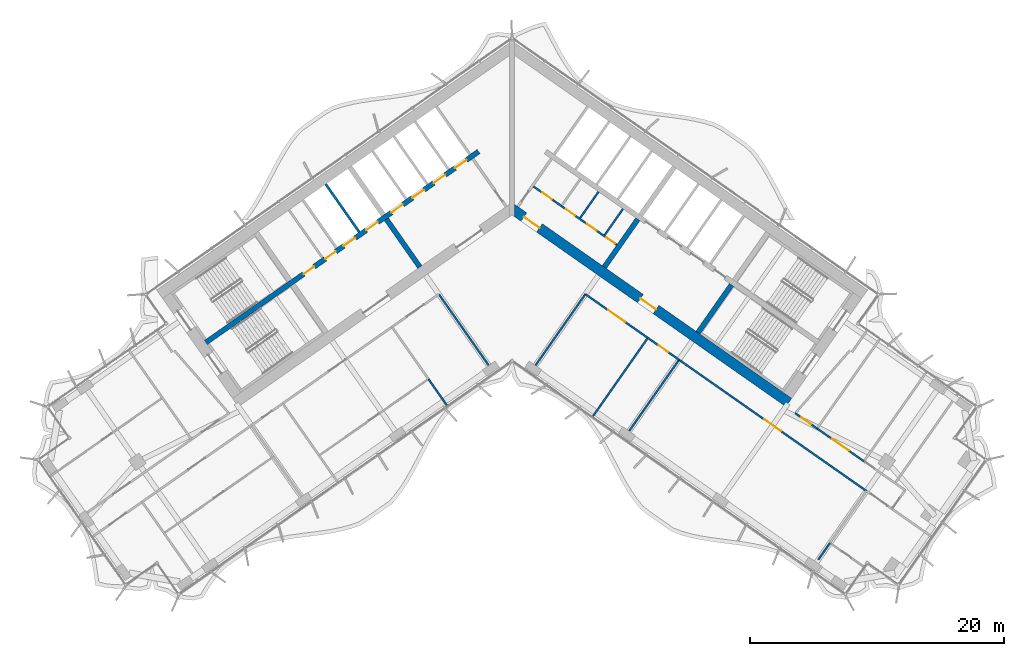
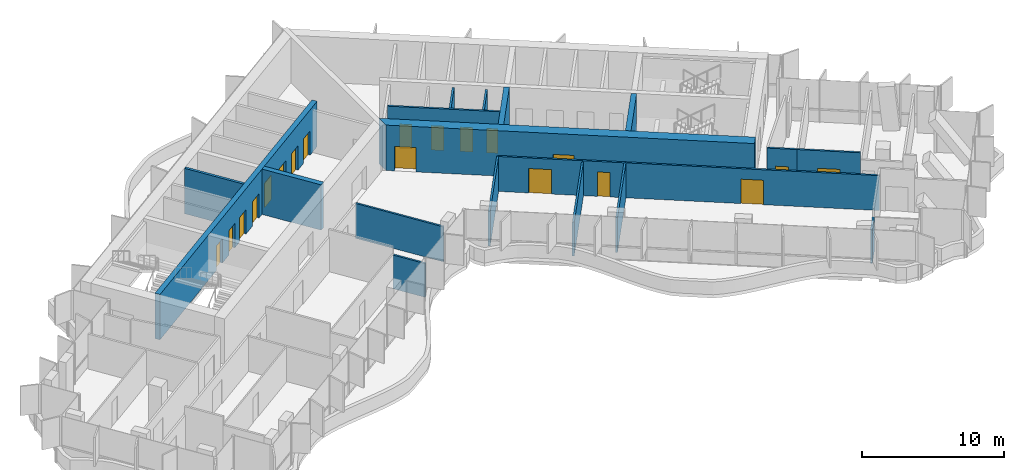
# One storey, part 15 of 23: 20 walls, 19 doors, 19 openings.
"""IFC4 building model written with IfcOpenShell, lengths in metres."""

from ifc_helpers import new_model, si_unit, direction, frame, frame_2d, origin, place, context, subcontext, project, spatial, polyline, rectangle, outline, extrude, material, layer, layer_set, type_object, element, fill, save


model = new_model("IFC4")

# Units and contexts
model_context = context("Model", 3, precision=1e-05, world=origin(), true_north=direction((0.0, 1.0)))
body_context = subcontext(model_context, "Body", "Model", "MODEL_VIEW")
ifc_project = project(units=[si_unit("LENGTHUNIT", "METRE"), si_unit("AREAUNIT", "SQUARE_METRE"), si_unit("VOLUMEUNIT", "CUBIC_METRE"), si_unit("PLANEANGLEUNIT", "RADIAN"), si_unit("MASSUNIT", "GRAM", prefix="KILO")], contexts=[model_context])

# Site, building, storey
site_placement = place(None, origin())
site = spatial("IfcSite", under=ifc_project, at=site_placement, CompositionType="ELEMENT")
building_placement = place(site_placement, origin())
building = spatial("IfcBuilding", under=site, at=building_placement, Name="Tel Ilan Convention Tower", CompositionType="ELEMENT")
storey_placement = place(building_placement, frame((0.0, 0.0, 186.60009765625)))
storey = spatial("IfcBuildingStorey", under=building, at=storey_placement, Name="L43", CompositionType="ELEMENT", Elevation=186.60009765625)

# Wall, openings, doors
ifc_material_1 = material(Name="Gypsum Plasterboard on Steel Stud", Category="steel")
ifc_layer_1 = layer(ifc_material_1, 0.14990234375)
ifc_layer_set_1 = layer_set([ifc_layer_1], Name="Core Room Partition Wall 150 mm EI 60")
wall_type_1 = type_object("IfcWallType", Name="Core Room Partition Wall 150 mm EI 60", PredefinedType="PARTITIONING", material=ifc_layer_set_1)
wall_1_placement = place(storey_placement, frame((1.687744140625, 1.015625, 0.0), z_axis=(0.0, 0.0, 1.0), x_axis=(0.819151624752, -0.573577035512, 0.0)))
wall_1 = element("IfcWall", 1, at=wall_1_placement, inside=storey, type_object=wall_type_1, Name="L43 core wall wc-h1", PredefinedType="PARTITIONING", context=body_context, shape_type="SweptSolid", body=[
    extrude(rectangle(XDim=8.0, YDim=0.14990234375, at=frame_2d((4.0, 0.0))), origin(), (0.0, 0.0, 1.0), 3.619873046875),
])
opening_1_placement = place(wall_1_placement, frame((0.85009765625, 0.0, 0.0)))
opening_1 = element("IfcOpeningElement", 2, at=opening_1_placement, cuts=wall_1, Name="Opening CD3313", PredefinedType="OPENING", context=body_context, shape_type="SweptSolid", body=[
    extrude(rectangle(XDim=0.89990234375, YDim=2.10009765625, at=frame_2d((0.449951171875, 1.050048828125))), frame((0.0, 0.0849609375, 0.0), z_axis=(0.0, -1.0, 0.0), x_axis=(1.0, 0.0, 0.0)), (0.0, 0.0, 1.0), 0.169921875),
])
opening_2_placement = place(wall_1_placement, frame((3.10009765625, 0.0, 0.0)))
opening_2 = element("IfcOpeningElement", 3, at=opening_2_placement, cuts=wall_1, Name="Opening CD3310", PredefinedType="OPENING", context=body_context, shape_type="SweptSolid", body=[
    extrude(rectangle(XDim=0.89990234375, YDim=2.10009765625, at=frame_2d((0.449951171875, 1.050048828125))), frame((0.0, 0.0849609375, 0.0), z_axis=(0.0, -1.0, 0.0), x_axis=(1.0, 0.0, 0.0)), (0.0, 0.0, 1.0), 0.169921875),
])
opening_3_placement = place(wall_1_placement, frame((5.14990234375, 0.0, 0.0)))
opening_3 = element("IfcOpeningElement", 4, at=opening_3_placement, cuts=wall_1, Name="Opening CD3312", PredefinedType="OPENING", context=body_context, shape_type="SweptSolid", body=[
    extrude(rectangle(XDim=0.89990234375, YDim=2.10009765625, at=frame_2d((0.449951171875, 1.050048828125))), frame((0.0, 0.0849609375, 0.0), z_axis=(0.0, -1.0, 0.0), x_axis=(1.0, 0.0, 0.0)), (0.0, 0.0, 1.0), 0.169921875),
])
opening_4_placement = place(wall_1_placement, frame((7.02490234375, 0.0, 0.0)))
opening_4 = element("IfcOpeningElement", 5, at=opening_4_placement, cuts=wall_1, Name="Opening CD3311", PredefinedType="OPENING", context=body_context, shape_type="SweptSolid", body=[
    extrude(rectangle(XDim=0.800048828125, YDim=2.10009765625, at=frame_2d((0.39990234375, 1.050048828125))), frame((0.0, 0.0849609375, 0.0), z_axis=(0.0, -1.0, 0.0), x_axis=(1.0, 0.0, 0.0)), (0.0, 0.0, 1.0), 0.169921875),
])
ifc_material_2 = material(Name="Galvanised Steel Door Leaf", Category="steel")
door_type_1 = type_object("IfcDoorType", Name="Store Door 800 x 2100 FD60", OperationType="NOTDEFINED", PredefinedType="DOOR", material=ifc_material_2)
door_1_placement = place(opening_4_placement, origin())
door_1 = element("IfcDoor", 6, at=door_1_placement, inside=storey, type_object=door_type_1, Name="Cleaner's store door", OperationType="SINGLE_SWING_RIGHT", OverallHeight=2.10009765625, OverallWidth=0.800048828125, PredefinedType="DOOR", context=body_context, shape_type="SweptSolid", body=[
    extrude(rectangle(XDim=0.800048828125, YDim=2.10009765625, at=frame_2d((0.39990234375, 1.050048828125))), frame((0.0, 0.02490234375, 0.0), z_axis=(0.0, -1.0, 0.0), x_axis=(1.0, 0.0, 0.0)), (0.0, 0.0, 1.0), 0.050048828125),
])
fill(opening_4, door_1)
ifc_material_3 = material(Name="Laminated Timber Door Leaf", Category="wood")
door_type_2 = type_object("IfcDoorType", Name="Toilet Door 900 x 2100 FD30S", OperationType="NOTDEFINED", PredefinedType="DOOR", material=ifc_material_3)
door_2_placement = place(opening_1_placement, origin())
door_2 = element("IfcDoor", 7, at=door_2_placement, inside=storey, type_object=door_type_2, Name="Women's WC door", OperationType="SINGLE_SWING_RIGHT", OverallHeight=2.10009765625, OverallWidth=0.89990234375, PredefinedType="DOOR", context=body_context, shape_type="SweptSolid", body=[
    extrude(rectangle(XDim=0.89990234375, YDim=2.10009765625, at=frame_2d((0.449951171875, 1.050048828125))), frame((0.0, 0.02490234375, 0.0), z_axis=(0.0, -1.0, 0.0), x_axis=(1.0, 0.0, 0.0)), (0.0, 0.0, 1.0), 0.050048828125),
])
fill(opening_1, door_2)
door_3_placement = place(opening_2_placement, origin())
door_3 = element("IfcDoor", 8, at=door_3_placement, inside=storey, type_object=door_type_2, Name="Accessible WC door", OperationType="SINGLE_SWING_RIGHT", OverallHeight=2.10009765625, OverallWidth=0.89990234375, PredefinedType="DOOR", context=body_context, shape_type="SweptSolid", body=[
    extrude(rectangle(XDim=0.89990234375, YDim=2.10009765625, at=frame_2d((0.449951171875, 1.050048828125))), frame((0.0, 0.02490234375, 0.0), z_axis=(0.0, -1.0, 0.0), x_axis=(1.0, 0.0, 0.0)), (0.0, 0.0, 1.0), 0.050048828125),
])
fill(opening_2, door_3)
door_4_placement = place(opening_3_placement, origin())
door_4 = element("IfcDoor", 9, at=door_4_placement, inside=storey, type_object=door_type_2, Name="Men's WC door", OperationType="SINGLE_SWING_RIGHT", OverallHeight=2.10009765625, OverallWidth=0.89990234375, PredefinedType="DOOR", context=body_context, shape_type="SweptSolid", body=[
    extrude(rectangle(XDim=0.89990234375, YDim=2.10009765625, at=frame_2d((0.449951171875, 1.050048828125))), frame((0.0, 0.02490234375, 0.0), z_axis=(0.0, -1.0, 0.0), x_axis=(1.0, 0.0, 0.0)), (0.0, 0.0, 1.0), 0.050048828125),
])
fill(opening_3, door_4)

# Walls
for number, where, z_axis, x_axis, name in (
    (10, (5.35546875, -1.4609375, 0.0), (0.0, 0.0, 1.0), (0.573566168143, 0.81915923407, 0.0), "L43 core wall wc-v1"),
    (11, (7.280517578125, -2.808837890625, 0.0), (0.0, 0.0, 1.0), (0.573566168143, 0.81915923407, 0.0), "L43 core wall wc-v2"),
):
    element("IfcWall", number, at=place(storey_placement, frame(where, z_axis=z_axis, x_axis=x_axis)), inside=storey, type_object=wall_type_1, Name=name, PredefinedType="PARTITIONING", context=body_context, shape_type="SweptSolid", body=[
        extrude(rectangle(XDim=2.52490234375, YDim=0.14990234375, at=frame_2d((1.262451171875, 0.0))), origin(), (0.0, 0.0, 1.0), 3.619873046875),
    ])
ifc_material_4 = material(Name="Concrete C50/60", Category="concrete")
ifc_layer_2 = layer(ifc_material_4, 0.39990234375)
ifc_layer_set_2 = layer_set([ifc_layer_2], Name="Core Shear Wall 400 mm C50/60")
wall_type_2 = type_object("IfcWallType", Name="Core Shear Wall 400 mm C50/60", PredefinedType="SHEAR", material=ifc_layer_set_2)
wall_2_placement = place(storey_placement, frame((-7.2578125, -5.325927734375, 0.0), z_axis=(0.0, 0.0, 1.0), x_axis=(-0.573540709186, 0.819177059558, 0.0)))
element("IfcWall", 12, at=wall_2_placement, inside=storey, type_object=wall_type_2, Name="L43 core wall W-cross1-1", PredefinedType="SHEAR", context=body_context, shape_type="SweptSolid", body=[
    extrude(outline(polyline([(4.599853515625, 0.2001953125), (-0.000244140625, 0.199951171875), (-0.000244140625, -0.2001953125), (4.599853515625, -0.199951171875), (4.599853515625, 0.2001953125)])), origin(), (0.0, 0.0, 1.0), 3.89990234375),
])

# Wall, openings, doors
wall_3_placement = place(storey_placement, frame((-2.638427734375, 3.76806640625, 0.0), z_axis=(0.0, 0.0, 1.0), x_axis=(-0.81915267502, -0.573575535572, 0.0)))
wall_3 = element("IfcWall", 13, at=wall_3_placement, inside=storey, type_object=wall_type_2, Name="L43 core wall W-spine", PredefinedType="SHEAR", context=body_context, shape_type="SweptSolid", body=[
    extrude(outline(polyline([(26.199951171875, 0.199951171875), (0.0, 0.199951171875), (0.0, -0.199951171875), (26.199951171875, -0.199951171875), (26.199951171875, 0.199951171875)])), origin(), (0.0, 0.0, 1.0), 3.89990234375),
])
opening_5_placement = place(wall_3_placement, frame((1.168701171875, 0.0, 0.0)))
opening_5 = element("IfcOpeningElement", 14, at=opening_5_placement, cuts=wall_3, Name="Opening LD3304", PredefinedType="OPENING", context=body_context, shape_type="SweptSolid", body=[
    extrude(rectangle(XDim=1.10009765625, YDim=2.10009765625, at=frame_2d((0.550048828125, 1.050048828125))), frame((0.0, 0.2099609375, 0.0), z_axis=(0.0, -1.0, 0.0), x_axis=(1.0, 0.0, 0.0)), (0.0, 0.0, 1.0), 0.419921875),
])
opening_6_placement = place(wall_3_placement, frame((3.206298828125, 0.0, 0.0)))
opening_6 = element("IfcOpeningElement", 15, at=opening_6_placement, cuts=wall_3, Name="Opening LD3305", PredefinedType="OPENING", context=body_context, shape_type="SweptSolid", body=[
    extrude(rectangle(XDim=1.10009765625, YDim=2.10009765625, at=frame_2d((0.550048828125, 1.050048828125))), frame((0.0, 0.2099609375, 0.0), z_axis=(0.0, -1.0, 0.0), x_axis=(1.0, 0.0, 0.0)), (0.0, 0.0, 1.0), 0.419921875),
])
opening_7_placement = place(wall_3_placement, frame((5.24365234375, 0.0, 0.0)))
opening_7 = element("IfcOpeningElement", 16, at=opening_7_placement, cuts=wall_3, Name="Opening LD3306", PredefinedType="OPENING", context=body_context, shape_type="SweptSolid", body=[
    extrude(rectangle(XDim=1.10009765625, YDim=2.10009765625, at=frame_2d((0.550048828125, 1.050048828125))), frame((0.0, 0.2099609375, 0.0), z_axis=(0.0, -1.0, 0.0), x_axis=(1.0, 0.0, 0.0)), (0.0, 0.0, 1.0), 0.419921875),
])
opening_8_placement = place(wall_3_placement, frame((7.28125, 0.0, 0.0)))
opening_8 = element("IfcOpeningElement", 17, at=opening_8_placement, cuts=wall_3, Name="Opening LD3307", PredefinedType="OPENING", context=body_context, shape_type="SweptSolid", body=[
    extrude(rectangle(XDim=1.10009765625, YDim=2.10009765625, at=frame_2d((0.550048828125, 1.050048828125))), frame((0.0, 0.2099609375, 0.0), z_axis=(0.0, -1.0, 0.0), x_axis=(1.0, 0.0, 0.0)), (0.0, 0.0, 1.0), 0.419921875),
])
opening_9_placement = place(wall_3_placement, frame((9.6875, 0.0, 0.0)))
opening_9 = element("IfcOpeningElement", 18, at=opening_9_placement, cuts=wall_3, Name="Opening LD3308", PredefinedType="OPENING", context=body_context, shape_type="SweptSolid", body=[
    extrude(rectangle(XDim=1.10009765625, YDim=2.10009765625, at=frame_2d((0.550048828125, 1.050048828125))), frame((0.0, 0.2099609375, 0.0), z_axis=(0.0, -1.0, 0.0), x_axis=(1.0, 0.0, 0.0)), (0.0, 0.0, 1.0), 0.419921875),
])
opening_10_placement = place(wall_3_placement, frame((11.862548828125, 0.0, 0.0)))
opening_10 = element("IfcOpeningElement", 19, at=opening_10_placement, cuts=wall_3, Name="Opening LD3309", PredefinedType="OPENING", context=body_context, shape_type="SweptSolid", body=[
    extrude(rectangle(XDim=1.10009765625, YDim=2.10009765625, at=frame_2d((0.550048828125, 1.050048828125))), frame((0.0, 0.2099609375, 0.0), z_axis=(0.0, -1.0, 0.0), x_axis=(1.0, 0.0, 0.0)), (0.0, 0.0, 1.0), 0.419921875),
])
opening_11_placement = place(wall_3_placement, frame((13.722412109375, 0.0, 0.0)))
opening_11 = element("IfcOpeningElement", 20, at=opening_11_placement, cuts=wall_3, Name="Opening CD3308", PredefinedType="OPENING", context=body_context, shape_type="SweptSolid", body=[
    extrude(rectangle(XDim=1.0, YDim=2.10009765625, at=frame_2d((0.5, 1.050048828125))), frame((0.0, 0.2099609375, 0.0), z_axis=(0.0, -1.0, 0.0), x_axis=(1.0, 0.0, 0.0)), (0.0, 0.0, 1.0), 0.419921875),
])
opening_12_placement = place(wall_3_placement, frame((15.797607421875, 0.0, 0.0)))
opening_12 = element("IfcOpeningElement", 21, at=opening_12_placement, cuts=wall_3, Name="Opening CD3309", PredefinedType="OPENING", context=body_context, shape_type="SweptSolid", body=[
    extrude(rectangle(XDim=1.0, YDim=2.10009765625, at=frame_2d((0.5, 1.050048828125))), frame((0.0, 0.2099609375, 0.0), z_axis=(0.0, -1.0, 0.0), x_axis=(1.0, 0.0, 0.0)), (0.0, 0.0, 1.0), 0.419921875),
])
ifc_material_5 = material(Name="Stainless Steel Sliding Door Leaf", Category="steel")
door_type_3 = type_object("IfcDoorType", Name="Lift Landing Door 1100 x 2100 FD120", OperationType="NOTDEFINED", PredefinedType="DOOR", material=ifc_material_5)
door_5_placement = place(opening_5_placement, origin())
door_5 = element("IfcDoor", 22, at=door_5_placement, inside=storey, type_object=door_type_3, Name="Lift LR1 landing door", OperationType="SLIDING_TO_LEFT", OverallHeight=2.10009765625, OverallWidth=1.10009765625, PredefinedType="DOOR", context=body_context, shape_type="SweptSolid", body=[
    extrude(rectangle(XDim=1.10009765625, YDim=2.10009765625, at=frame_2d((0.550048828125, 1.050048828125))), frame((0.0, 0.02490234375, 0.0), z_axis=(0.0, -1.0, 0.0), x_axis=(1.0, 0.0, 0.0)), (0.0, 0.0, 1.0), 0.050048828125),
])
fill(opening_5, door_5)
door_6_placement = place(opening_6_placement, origin())
door_6 = element("IfcDoor", 23, at=door_6_placement, inside=storey, type_object=door_type_3, Name="Lift LR2 landing door", OperationType="SLIDING_TO_RIGHT", OverallHeight=2.10009765625, OverallWidth=1.10009765625, PredefinedType="DOOR", context=body_context, shape_type="SweptSolid", body=[
    extrude(rectangle(XDim=1.10009765625, YDim=2.10009765625, at=frame_2d((0.550048828125, 1.050048828125))), frame((0.0, 0.02490234375, 0.0), z_axis=(0.0, -1.0, 0.0), x_axis=(1.0, 0.0, 0.0)), (0.0, 0.0, 1.0), 0.050048828125),
])
fill(opening_6, door_6)
door_7_placement = place(opening_7_placement, origin())
door_7 = element("IfcDoor", 24, at=door_7_placement, inside=storey, type_object=door_type_3, Name="Lift LR3 landing door", OperationType="SLIDING_TO_LEFT", OverallHeight=2.10009765625, OverallWidth=1.10009765625, PredefinedType="DOOR", context=body_context, shape_type="SweptSolid", body=[
    extrude(rectangle(XDim=1.10009765625, YDim=2.10009765625, at=frame_2d((0.550048828125, 1.050048828125))), frame((0.0, 0.02490234375, 0.0), z_axis=(0.0, -1.0, 0.0), x_axis=(1.0, 0.0, 0.0)), (0.0, 0.0, 1.0), 0.050048828125),
])
fill(opening_7, door_7)
door_8_placement = place(opening_8_placement, origin())
door_8 = element("IfcDoor", 25, at=door_8_placement, inside=storey, type_object=door_type_3, Name="Lift LR4 landing door", OperationType="SLIDING_TO_RIGHT", OverallHeight=2.10009765625, OverallWidth=1.10009765625, PredefinedType="DOOR", context=body_context, shape_type="SweptSolid", body=[
    extrude(rectangle(XDim=1.10009765625, YDim=2.10009765625, at=frame_2d((0.550048828125, 1.050048828125))), frame((0.0, 0.02490234375, 0.0), z_axis=(0.0, -1.0, 0.0), x_axis=(1.0, 0.0, 0.0)), (0.0, 0.0, 1.0), 0.050048828125),
])
fill(opening_8, door_8)
door_9_placement = place(opening_9_placement, origin())
door_9 = element("IfcDoor", 26, at=door_9_placement, inside=storey, type_object=door_type_3, Name="Lift LR5 landing door", OperationType="SLIDING_TO_LEFT", OverallHeight=2.10009765625, OverallWidth=1.10009765625, PredefinedType="DOOR", context=body_context, shape_type="SweptSolid", body=[
    extrude(rectangle(XDim=1.10009765625, YDim=2.10009765625, at=frame_2d((0.550048828125, 1.050048828125))), frame((0.0, 0.02490234375, 0.0), z_axis=(0.0, -1.0, 0.0), x_axis=(1.0, 0.0, 0.0)), (0.0, 0.0, 1.0), 0.050048828125),
])
fill(opening_9, door_9)
door_10_placement = place(opening_10_placement, origin())
door_10 = element("IfcDoor", 27, at=door_10_placement, inside=storey, type_object=door_type_3, Name="Lift LR6 landing door", OperationType="SLIDING_TO_RIGHT", OverallHeight=2.10009765625, OverallWidth=1.10009765625, PredefinedType="DOOR", context=body_context, shape_type="SweptSolid", body=[
    extrude(rectangle(XDim=1.10009765625, YDim=2.10009765625, at=frame_2d((0.550048828125, 1.050048828125))), frame((0.0, 0.02490234375, 0.0), z_axis=(0.0, -1.0, 0.0), x_axis=(1.0, 0.0, 0.0)), (0.0, 0.0, 1.0), 0.050048828125),
])
fill(opening_10, door_10)
ifc_material_6 = material(Name="Galvanised Steel Door Leaf", Category="steel")
door_type_4 = type_object("IfcDoorType", Name="Service Room Door 1000 x 2100 FD60", OperationType="NOTDEFINED", PredefinedType="DOOR", material=ifc_material_6)
door_11_placement = place(opening_11_placement, origin())
door_11 = element("IfcDoor", 28, at=door_11_placement, inside=storey, type_object=door_type_4, Name="Plant Room door", OperationType="SINGLE_SWING_RIGHT", OverallHeight=2.10009765625, OverallWidth=1.0, PredefinedType="DOOR", context=body_context, shape_type="SweptSolid", body=[
    extrude(rectangle(XDim=1.0, YDim=2.10009765625, at=frame_2d((0.5, 1.050048828125))), frame((0.0, 0.02490234375, 0.0), z_axis=(0.0, -1.0, 0.0), x_axis=(1.0, 0.0, 0.0)), (0.0, 0.0, 1.0), 0.050048828125),
])
fill(opening_11, door_11)
door_12_placement = place(opening_12_placement, origin())
door_12 = element("IfcDoor", 29, at=door_12_placement, inside=storey, type_object=door_type_4, Name="Plant Room door", OperationType="SINGLE_SWING_RIGHT", OverallHeight=2.10009765625, OverallWidth=1.0, PredefinedType="DOOR", context=body_context, shape_type="SweptSolid", body=[
    extrude(rectangle(XDim=1.0, YDim=2.10009765625, at=frame_2d((0.5, 1.050048828125))), frame((0.0, 0.02490234375, 0.0), z_axis=(0.0, -1.0, 0.0), x_axis=(1.0, 0.0, 0.0)), (0.0, 0.0, 1.0), 0.050048828125),
])
fill(opening_12, door_12)

# Walls
wall_4_placement = place(storey_placement, frame((7.2578125, -5.325927734375, 0.0), z_axis=(0.0, 0.0, 1.0), x_axis=(0.573540709186, 0.819177059558, 0.0)))
element("IfcWall", 30, at=wall_4_placement, inside=storey, type_object=wall_type_2, Name="L43 core wall E-cross1-1", PredefinedType="SHEAR", context=body_context, shape_type="SweptSolid", body=[
    extrude(outline(polyline([(-0.000244140625, 0.2001953125), (-0.000244140625, -0.199951171875), (4.599853515625, -0.2001953125), (4.599853515625, 0.199951171875), (-0.000244140625, 0.2001953125)])), origin(), (0.0, 0.0, 1.0), 3.89990234375),
])
wall_5_placement = place(storey_placement, frame((14.6298828125, -10.48828125, 0.0), z_axis=(0.0, 0.0, 1.0), x_axis=(0.573611936273, 0.819127185829, 0.0)))
element("IfcWall", 31, at=wall_5_placement, inside=storey, type_object=wall_type_2, Name="L43 core wall E-cross2-1", PredefinedType="SHEAR", context=body_context, shape_type="SweptSolid", body=[
    extrude(outline(polyline([(0.000244140625, 0.199951171875), (0.000244140625, -0.2001953125), (4.60009765625, -0.199951171875), (4.60009765625, 0.2001953125), (0.000244140625, 0.199951171875)])), origin(), (0.0, 0.0, 1.0), 3.89990234375),
])

# Wall, openings, doors
ifc_material_7 = material(Name="Concrete C50/60", Category="concrete")
ifc_layer_3 = layer(ifc_material_7, 0.800048828125)
ifc_layer_set_3 = layer_set([ifc_layer_3], Name="Core Shear Wall 800 mm C50/60")
wall_type_3 = type_object("IfcWallType", Name="Core Shear Wall 800 mm C50/60", PredefinedType="SHEAR", material=ifc_layer_set_3)
wall_6_placement = place(storey_placement, frame((-0.029296875, -0.7119140625, 0.0), z_axis=(0.0, 0.0, 1.0), x_axis=(0.819151758019, -0.573576845187, 0.0)))
wall_6 = element("IfcWall", 32, at=wall_6_placement, inside=storey, type_object=wall_type_3, Name="L43 core wall E-front", PredefinedType="SHEAR", context=body_context, shape_type="SweptSolid", body=[
    extrude(outline(polyline([(26.61572265625, 0.39990234375), (-0.000244140625, 0.39990234375), (0.56005859375, -0.39990234375), (26.61572265625, -0.39990234375), (26.61572265625, 0.39990234375)])), origin(), (0.0, 0.0, 1.0), 3.89990234375),
])
opening_13_placement = place(wall_6_placement, frame((1.165771484375, 0.0, 0.0)))
opening_13 = element("IfcOpeningElement", 33, at=opening_13_placement, cuts=wall_6, Name="Opening CD3303", PredefinedType="OPENING", context=body_context, shape_type="SweptSolid", body=[
    extrude(rectangle(XDim=1.5, YDim=2.10009765625, at=frame_2d((0.75, 1.050048828125))), frame((0.0, 0.409912109375, 0.0), z_axis=(0.0, -1.0, 0.0), x_axis=(1.0, 0.0, 0.0)), (0.0, 0.0, 1.0), 0.820068359375),
])
opening_14_placement = place(wall_6_placement, frame((12.36572265625, 0.0, 0.0)))
opening_14 = element("IfcOpeningElement", 34, at=opening_14_placement, cuts=wall_6, Name="Opening CD3304", PredefinedType="OPENING", context=body_context, shape_type="SweptSolid", body=[
    extrude(rectangle(XDim=1.5, YDim=2.10009765625, at=frame_2d((0.75, 1.050048828125))), frame((0.0, 0.409912109375, 0.0), z_axis=(0.0, -1.0, 0.0), x_axis=(1.0, 0.0, 0.0)), (0.0, 0.0, 1.0), 0.820068359375),
])
ifc_material_8 = material(Name="Glazed Aluminium Door Leaf", Category="aluminium")
door_type_5 = type_object("IfcDoorType", Name="Lobby Opening Door 1500 x 2100 FD60S", OperationType="NOTDEFINED", PredefinedType="DOOR", material=ifc_material_8)
door_13_placement = place(opening_14_placement, origin())
door_13 = element("IfcDoor", 35, at=door_13_placement, inside=storey, type_object=door_type_5, Name="Firefighting Lobby door", OperationType="DOUBLE_DOOR_SINGLE_SWING", OverallHeight=2.10009765625, OverallWidth=1.5, PredefinedType="DOOR", context=body_context, shape_type="SweptSolid", body=[
    extrude(rectangle(XDim=1.5, YDim=2.10009765625, at=frame_2d((0.75, 1.050048828125))), frame((0.0, 0.02490234375, 0.0), z_axis=(0.0, -1.0, 0.0), x_axis=(1.0, 0.0, 0.0)), (0.0, 0.0, 1.0), 0.050048828125),
])
fill(opening_14, door_13)
ifc_material_9 = material(Name="Laminated Timber Door Leaf", Category="wood")
door_type_6 = type_object("IfcDoorType", Name="Toilet Door 1500 x 2100 FD30S", OperationType="NOTDEFINED", PredefinedType="DOOR", material=ifc_material_9)
door_14_placement = place(opening_13_placement, origin())
door_14 = element("IfcDoor", 36, at=door_14_placement, inside=storey, type_object=door_type_6, Name="WC Lobby door", OperationType="SINGLE_SWING_RIGHT", OverallHeight=2.10009765625, OverallWidth=1.5, PredefinedType="DOOR", context=body_context, shape_type="SweptSolid", body=[
    extrude(rectangle(XDim=1.5, YDim=2.10009765625, at=frame_2d((0.75, 1.050048828125))), frame((0.0, 0.02490234375, 0.0), z_axis=(0.0, -1.0, 0.0), x_axis=(1.0, 0.0, 0.0)), (0.0, 0.0, 1.0), 0.050048828125),
])
fill(opening_13, door_14)

# Wall, opening, door
ifc_material_10 = material(Name="Plasterboard on Steel Studs", Category="steel")
ifc_layer_4 = layer(ifc_material_10, 0.14990234375)
ifc_layer_set_4 = layer_set([ifc_layer_4], Name="Fire-rated Partition 150 EI 60")
wall_type_4 = type_object("IfcWallType", Name="Fire-rated Partition 150 EI 60", PredefinedType="PARTITIONING", material=ifc_layer_set_4)
wall_7_placement = place(storey_placement, frame((22.283203125, -16.82373046875, 0.0), z_axis=(0.0, 0.0, 1.0), x_axis=(0.819182738768, -0.573532597595, 0.0)))
wall_7 = element("IfcWall", 37, at=wall_7_placement, inside=storey, type_object=wall_type_4, Name="Partition 001", PredefinedType="PARTITIONING", context=body_context, shape_type="SweptSolid", body=[
    extrude(rectangle(XDim=2.09912109375, YDim=0.14990234375, at=frame_2d((1.049560546875, 0.0))), origin(), (0.0, 0.0, 1.0), 3.619873046875),
])
opening_15_placement = place(wall_7_placement, frame((0.599609375, 0.0, 0.0)))
opening_15 = element("IfcOpeningElement", 38, at=opening_15_placement, cuts=wall_7, Name="Opening L43-016", PredefinedType="OPENING", context=body_context, shape_type="SweptSolid", body=[
    extrude(rectangle(XDim=0.89990234375, YDim=2.10009765625, at=frame_2d((0.449951171875, 1.050048828125))), frame((0.0, 0.0849609375, 0.0), z_axis=(0.0, -1.0, 0.0), x_axis=(1.0, 0.0, 0.0)), (0.0, 0.0, 1.0), 0.169921875),
])
ifc_material_11 = material(Name="Timber Door Leaf in Steel Frame", Category="steel")
door_type_7 = type_object("IfcDoorType", Name="Room Fire Door 900x2100", OperationType="NOTDEFINED", PredefinedType="DOOR", material=ifc_material_11)
door_15_placement = place(opening_15_placement, origin())
door_15 = element("IfcDoor", 39, at=door_15_placement, inside=storey, type_object=door_type_7, Name="Door L43-016", OperationType="SINGLE_SWING_RIGHT", OverallHeight=2.10009765625, OverallWidth=0.89990234375, PredefinedType="DOOR", context=body_context, shape_type="SweptSolid", body=[
    extrude(rectangle(XDim=0.89990234375, YDim=2.10009765625, at=frame_2d((0.449951171875, 1.050048828125))), frame((0.0, 0.02490234375, 0.0), z_axis=(0.0, -1.0, 0.0), x_axis=(1.0, 0.0, 0.0)), (0.0, 0.0, 1.0), 0.050048828125),
])
fill(opening_15, door_15)

wall_8_placement = place(storey_placement, frame((23.999267578125, -18.025390625, 0.0), z_axis=(0.0, 0.0, 1.0), x_axis=(0.819165703328, -0.573556928727, 0.0)))
wall_8 = element("IfcWall", 40, at=wall_8_placement, inside=storey, type_object=wall_type_4, Name="Partition 002", PredefinedType="PARTITIONING", context=body_context, shape_type="SweptSolid", body=[
    extrude(rectangle(XDim=4.50390625, YDim=0.14990234375, at=frame_2d((2.251953125, 0.0))), origin(), (0.0, 0.0, 1.0), 3.619873046875),
])
opening_16_placement = place(wall_8_placement, frame((1.451904296875, 0.0, 0.0)))
opening_16 = element("IfcOpeningElement", 41, at=opening_16_placement, cuts=wall_8, Name="Opening L43-017", PredefinedType="OPENING", context=body_context, shape_type="SweptSolid", body=[
    extrude(rectangle(XDim=1.60009765625, YDim=2.10009765625, at=frame_2d((0.800048828125, 1.050048828125))), frame((0.0, 0.0849609375, 0.0), z_axis=(0.0, -1.0, 0.0), x_axis=(1.0, 0.0, 0.0)), (0.0, 0.0, 1.0), 0.169921875),
])
ifc_material_12 = material(Name="Timber Door Leaf in Steel Frame", Category="steel")
door_type_8 = type_object("IfcDoorType", Name="Tenant Suite Entrance Fire Door 1600x2100", OperationType="NOTDEFINED", PredefinedType="DOOR", material=ifc_material_12)
door_16_placement = place(opening_16_placement, origin())
door_16 = element("IfcDoor", 42, at=door_16_placement, inside=storey, type_object=door_type_8, Name="Door L43-017", OperationType="DOUBLE_DOOR_SINGLE_SWING", OverallHeight=2.10009765625, OverallWidth=1.60009765625, PredefinedType="DOOR", context=body_context, shape_type="SweptSolid", body=[
    extrude(rectangle(XDim=1.60009765625, YDim=2.10009765625, at=frame_2d((0.800048828125, 1.050048828125))), frame((0.0, 0.02490234375, 0.0), z_axis=(0.0, -1.0, 0.0), x_axis=(1.0, 0.0, 0.0)), (0.0, 0.0, 1.0), 0.050048828125),
])
fill(opening_16, door_16)

wall_9_placement = place(storey_placement, frame((10.682861328125, -10.8984375, 0.0), z_axis=(0.0, 0.0, 1.0), x_axis=(-0.819147828287, 0.573582457378, 0.0)))
wall_9 = element("IfcWall", 43, at=wall_9_placement, inside=storey, type_object=wall_type_4, Name="Partition 006", PredefinedType="PARTITIONING", context=body_context, shape_type="SweptSolid", body=[
    extrude(rectangle(XDim=6.001953125, YDim=0.14990234375, at=frame_2d((3.0009765625, 0.0))), origin(), (0.0, 0.0, 1.0), 3.0),
])
opening_17_placement = place(wall_9_placement, frame((2.200927734375, 0.0, 0.0)))
opening_17 = element("IfcOpeningElement", 44, at=opening_17_placement, cuts=wall_9, Name="Opening L43-011", PredefinedType="OPENING", context=body_context, shape_type="SweptSolid", body=[
    extrude(rectangle(XDim=1.60009765625, YDim=2.10009765625, at=frame_2d((0.800048828125, 1.050048828125))), frame((0.0, 0.0849609375, 0.0), z_axis=(0.0, -1.0, 0.0), x_axis=(1.0, 0.0, 0.0)), (0.0, 0.0, 1.0), 0.169921875),
])
door_17_placement = place(opening_17_placement, origin())
door_17 = element("IfcDoor", 45, at=door_17_placement, inside=storey, type_object=door_type_8, Name="Door L43-011", OperationType="DOUBLE_DOOR_SINGLE_SWING", OverallHeight=2.10009765625, OverallWidth=1.60009765625, PredefinedType="DOOR", context=body_context, shape_type="SweptSolid", body=[
    extrude(rectangle(XDim=1.60009765625, YDim=2.10009765625, at=frame_2d((0.800048828125, 1.050048828125))), frame((0.0, 0.02490234375, 0.0), z_axis=(0.0, -1.0, 0.0), x_axis=(1.0, 0.0, 0.0)), (0.0, 0.0, 1.0), 0.050048828125),
])
fill(opening_17, door_17)

wall_10_placement = place(storey_placement, frame((13.140380859375, -12.619140625, 0.0), z_axis=(0.0, 0.0, 1.0), x_axis=(-0.819128818764, 0.573609604409, 0.0)))
wall_10 = element("IfcWall", 46, at=wall_10_placement, inside=storey, type_object=wall_type_4, Name="Partition 007", PredefinedType="PARTITIONING", context=body_context, shape_type="SweptSolid", body=[
    extrude(rectangle(XDim=3.004150390625, YDim=0.14990234375, at=frame_2d((1.501953125, 0.0))), origin(), (0.0, 0.0, 1.0), 3.0),
])
opening_18_placement = place(wall_10_placement, frame((1.052001953125, 0.0, 0.0)))
opening_18 = element("IfcOpeningElement", 47, at=opening_18_placement, cuts=wall_10, Name="Opening L43-012", PredefinedType="OPENING", context=body_context, shape_type="SweptSolid", body=[
    extrude(rectangle(XDim=0.89990234375, YDim=2.10009765625, at=frame_2d((0.449951171875, 1.050048828125))), frame((0.0, 0.0849609375, 0.0), z_axis=(0.0, -1.0, 0.0), x_axis=(1.0, 0.0, 0.0)), (0.0, 0.0, 1.0), 0.169921875),
])
door_18_placement = place(opening_18_placement, origin())
door_18 = element("IfcDoor", 48, at=door_18_placement, inside=storey, type_object=door_type_7, Name="Door L43-012", OperationType="SINGLE_SWING_LEFT", OverallHeight=2.10009765625, OverallWidth=0.89990234375, PredefinedType="DOOR", context=body_context, shape_type="SweptSolid", body=[
    extrude(rectangle(XDim=0.89990234375, YDim=2.10009765625, at=frame_2d((0.449951171875, 1.050048828125))), frame((0.0, 0.02490234375, 0.0), z_axis=(0.0, -1.0, 0.0), x_axis=(1.0, 0.0, 0.0)), (0.0, 0.0, 1.0), 0.050048828125),
])
fill(opening_18, door_18)

wall_11_placement = place(storey_placement, frame((27.885009765625, -22.943603515625, 0.0), z_axis=(0.0, 0.0, 1.0), x_axis=(-0.81914845568, 0.573581561381, 0.0)))
wall_11 = element("IfcWall", 49, at=wall_11_placement, inside=storey, type_object=wall_type_4, Name="Partition 008", PredefinedType="PARTITIONING", context=body_context, shape_type="SweptSolid", body=[
    extrude(rectangle(XDim=18.00390625, YDim=0.14990234375, at=frame_2d((9.001953125, 0.0))), origin(), (0.0, 0.0, 1.0), 3.0),
])
opening_19_placement = place(wall_11_placement, frame((8.201904296875, 0.0, 0.0)))
opening_19 = element("IfcOpeningElement", 50, at=opening_19_placement, cuts=wall_11, Name="Opening L43-013", PredefinedType="OPENING", context=body_context, shape_type="SweptSolid", body=[
    extrude(rectangle(XDim=1.60009765625, YDim=2.10009765625, at=frame_2d((0.800048828125, 1.050048828125))), frame((0.0, 0.0849609375, 0.0), z_axis=(0.0, -1.0, 0.0), x_axis=(1.0, 0.0, 0.0)), (0.0, 0.0, 1.0), 0.169921875),
])
door_19_placement = place(opening_19_placement, origin())
door_19 = element("IfcDoor", 51, at=door_19_placement, inside=storey, type_object=door_type_8, Name="Door L43-013", OperationType="DOUBLE_DOOR_SINGLE_SWING", OverallHeight=2.10009765625, OverallWidth=1.60009765625, PredefinedType="DOOR", context=body_context, shape_type="SweptSolid", body=[
    extrude(rectangle(XDim=1.60009765625, YDim=2.10009765625, at=frame_2d((0.800048828125, 1.050048828125))), frame((0.0, 0.02490234375, 0.0), z_axis=(0.0, -1.0, 0.0), x_axis=(1.0, 0.0, 0.0)), (0.0, 0.0, 1.0), 0.050048828125),
])
fill(opening_19, door_19)

# Walls
wall_12_placement = place(storey_placement, frame((10.681396484375, -10.897216796875, 0.0), z_axis=(0.0, 0.0, 1.0), x_axis=(-0.57358249317, -0.819147803225, 0.0)))
element("IfcWall", 52, at=wall_12_placement, inside=storey, type_object=wall_type_4, Name="Partition 023", PredefinedType="PARTITIONING", context=body_context, shape_type="SweptSolid", body=[
    extrude(rectangle(XDim=7.500244140625, YDim=0.14990234375, at=frame_2d((3.75, 0.0))), origin(), (0.0, 0.0, 1.0), 2.89990234375),
])
wall_13_placement = place(storey_placement, frame((1.848876953125, -13.050537109375, 0.0), z_axis=(0.0, 0.0, 1.0), x_axis=(0.573577493031, 0.819151304393, 0.0)))
element("IfcWall", 53, at=wall_13_placement, inside=storey, type_object=wall_type_4, Name="Partition 024", PredefinedType="PARTITIONING", context=body_context, shape_type="SweptSolid", body=[
    extrude(rectangle(XDim=6.829833984375, YDim=0.14990234375, at=frame_2d((3.4150390625, 0.0))), origin(), (0.0, 0.0, 1.0), 3.0),
])
wall_14_placement = place(storey_placement, frame((13.138671875, -12.617919921875, 0.0), z_axis=(0.0, 0.0, 1.0), x_axis=(-0.573560698343, -0.819163063936, 0.0)))
element("IfcWall", 54, at=wall_14_placement, inside=storey, type_object=wall_type_4, Name="Partition 025", PredefinedType="PARTITIONING", context=body_context, shape_type="SweptSolid", body=[
    extrude(rectangle(XDim=6.830078125, YDim=0.14990234375, at=frame_2d((3.4150390625, 0.0))), origin(), (0.0, 0.0, 1.0), 3.0),
])
wall_15_placement = place(storey_placement, frame((25.01611328125, -27.037353515625, 0.0), z_axis=(0.0, 0.0, 1.0), x_axis=(-0.573615752353, -0.819124513522, 0.0)))
element("IfcWall", 55, at=wall_15_placement, inside=storey, type_object=wall_type_4, Name="Partition 026", PredefinedType="PARTITIONING", context=body_context, shape_type="SweptSolid", body=[
    extrude(rectangle(XDim=1.60205078125, YDim=0.14990234375, at=frame_2d((0.801025390625, 0.0))), origin(), (0.0, 0.0, 1.0), 2.89990234375),
])
wall_16_placement = place(storey_placement, frame((-1.848876953125, -13.050537109375, 0.0), z_axis=(0.0, 0.0, 1.0), x_axis=(-0.57357985571, 0.819149650018, 0.0)))
element("IfcWall", 56, at=wall_16_placement, inside=storey, type_object=wall_type_4, Name="Partition 029", PredefinedType="PARTITIONING", context=body_context, shape_type="SweptSolid", body=[
    extrude(rectangle(XDim=6.83203125, YDim=0.14990234375, at=frame_2d((3.416015625, 0.0))), origin(), (0.0, 0.0, 1.0), 3.0),
])
wall_17_placement = place(storey_placement, frame((-5.150634765625, -16.180419921875, 0.0), z_axis=(0.0, 0.0, 1.0), x_axis=(-0.573613022702, 0.819126425033, 0.0)))
element("IfcWall", 57, at=wall_17_placement, inside=storey, type_object=wall_type_4, Name="Partition 035", PredefinedType="PARTITIONING", context=body_context, shape_type="SweptSolid", body=[
    extrude(rectangle(XDim=2.5009765625, YDim=0.14990234375, at=frame_2d((1.25048828125, 0.0))), origin(), (0.0, 0.0, 1.0), 2.89990234375),
])
ifc_material_13 = material(Name="Concrete C30/37", Category="concrete")
ifc_layer_5 = layer(ifc_material_13, 0.199951171875)
ifc_layer_set_5 = layer_set([ifc_layer_5], Name="Lift Shaft Wall 200 mm C30/37")
wall_type_5 = type_object("IfcWallType", Name="Lift Shaft Wall 200 mm C30/37", PredefinedType="SOLIDWALL", material=ifc_layer_set_5)
wall_18_placement = place(storey_placement, frame((-12.030029296875, -2.563720703125, 0.0), z_axis=(0.0, 0.0, 1.0), x_axis=(-0.573576324356, 0.819152122709, 0.0)))
element("IfcWall", 58, at=wall_18_placement, inside=storey, type_object=wall_type_5, Name="L43 core wall bank-W2-p0", PredefinedType="SOLIDWALL", context=body_context, shape_type="SweptSolid", body=[
    extrude(rectangle(XDim=4.599853515625, YDim=0.199951171875, at=frame_2d((2.2998046875, 0.0))), origin(), (0.0, 0.0, 1.0), 3.89990234375),
])

save(model, "model.ifc")
